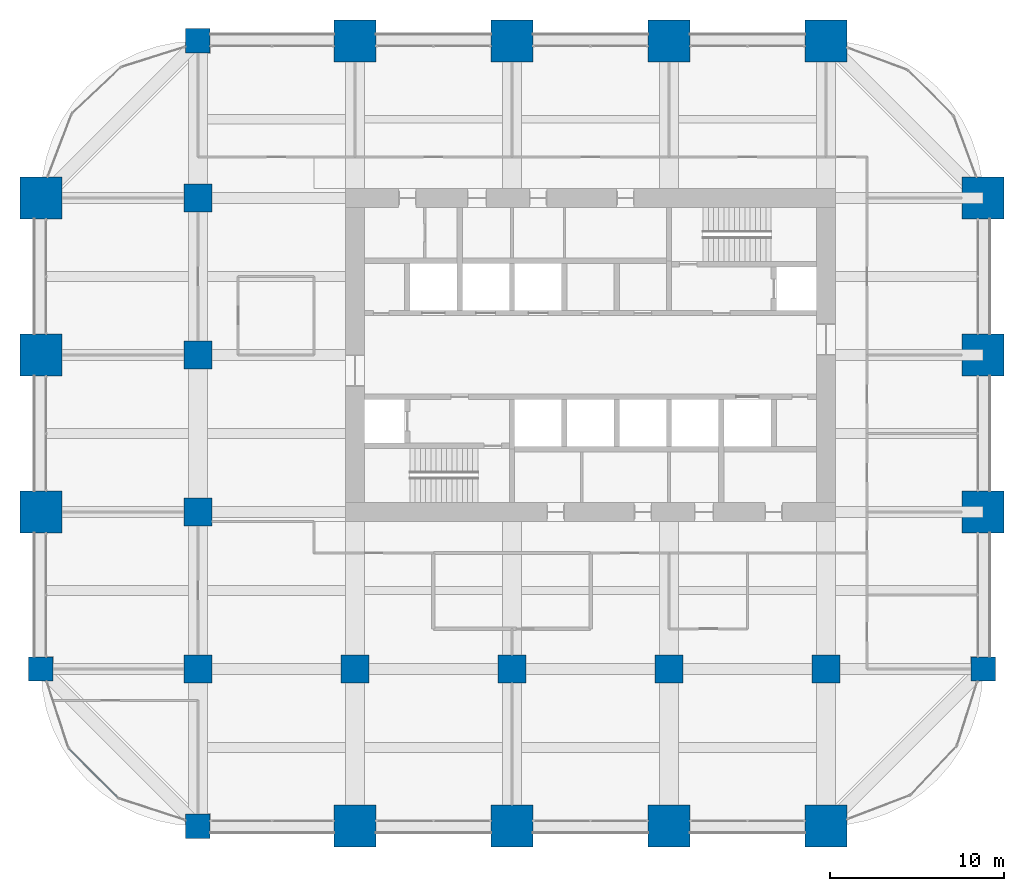
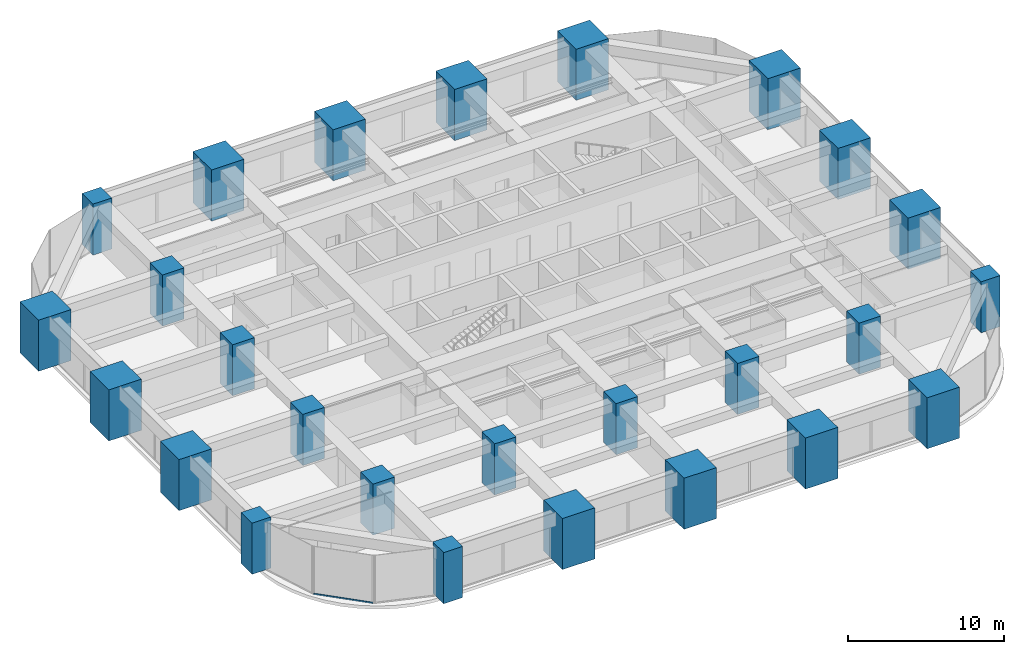
# One storey, part 1 of 32: 26 columns, 1 member, 1 element without a shape of its own.
"""IFC4 building model written with IfcOpenShell, lengths in metres."""

import ifcopenshell
import ifcopenshell.guid

model = None  # the IFC model being written
_history = None  # IfcOwnerHistory: only IFC2X3 demands one
_inside = {}  # id of a spatial element -> (the spatial element, [elements in it])
_under = {}  # id of a project, library or spatial element -> (it, [spatial elements below it])
_declared = {}  # id of a project -> (the project, [libraries it declares])
_typed = {}  # id of a type object -> (the type object, [elements of that type])
_made_of = {}  # id of a material, layer set ... -> (it, [elements and type objects made of it])


def new_model(schema):
    """Start an empty IFC model of exactly this schema.

    Asked for "IFC4X3", IfcOpenShell would pick the latest addendum, in which some entities
    have other attributes; the version numbers below select the first issue.
    IFC2X3 requires an IfcOwnerHistory on every rooted entity: one is made here for all.
    """
    global model, _history
    if schema == "IFC4X3":
        model = ifcopenshell.file(schema_version=(4, 3, 0, 0))
    else:
        model = ifcopenshell.file(schema=schema)
    _inside.clear()
    _under.clear()
    _declared.clear()
    _typed.clear()
    _made_of.clear()
    _history = None
    if model.schema == "IFC2X3":
        org = make("IfcOrganization", Name="unknown")
        user = make(
            "IfcPersonAndOrganization",
            ThePerson=make("IfcPerson", FamilyName="unknown"),
            TheOrganization=org,
        )
        app = make(
            "IfcApplication",
            ApplicationDeveloper=org,
            Version="unknown",
            ApplicationFullName="unknown",
            ApplicationIdentifier="unknown",
        )
        _history = make(
            "IfcOwnerHistory",
            OwningUser=user,
            OwningApplication=app,
            ChangeAction="ADDED",
            CreationDate=0,
        )
    return model


def make(cls, **values):
    """One entity of the class cls with the attributes given. An attribute that is None is left unset."""
    return model.create_entity(
        cls, **{name: value for name, value in values.items() if value is not None}
    )


def rooted(cls, **values):
    """An entity with a GlobalId (a new one), such as an element, a storey or a relation."""
    return make(cls, GlobalId=ifcopenshell.guid.new(), OwnerHistory=_history, **values)


def si_unit(unit_type, name, prefix=None):
    """IfcSIUnit, for example si_unit("LENGTHUNIT", "METRE", prefix="MILLI")."""
    return make("IfcSIUnit", UnitType=unit_type, Prefix=prefix, Name=name)


def assignment(units):
    """IfcUnitAssignment: the units of a project."""
    return None if units is None else make("IfcUnitAssignment", Units=units)


def point(xyz):
    """IfcCartesianPoint."""
    return None if xyz is None else make("IfcCartesianPoint", Coordinates=xyz)


def direction(xyz):
    """IfcDirection."""
    return None if xyz is None else make("IfcDirection", DirectionRatios=xyz)


def frame(location, z_axis=None, x_axis=None):
    """IfcAxis2Placement3D, a coordinate frame: its origin and axes. An axis left out is left unset."""
    return make(
        "IfcAxis2Placement3D",
        Location=point(location),
        Axis=direction(z_axis),
        RefDirection=direction(x_axis),
    )


def frame_2d(location, x_axis=None):
    """IfcAxis2Placement2D, a coordinate frame in the plane: its origin and x axis."""
    return make(
        "IfcAxis2Placement2D", Location=point(location), RefDirection=direction(x_axis)
    )


def origin():
    """The frame at (0, 0, 0) with its axes left unset."""
    return frame((0.0, 0.0, 0.0))


def origin_2d():
    """The frame at (0, 0) in the plane with its x axis left unset."""
    return frame_2d((0.0, 0.0))


def place(relative_to, where):
    """IfcLocalPlacement: puts the frame where relative to a parent placement (None: the world)."""
    return make(
        "IfcLocalPlacement", PlacementRelTo=relative_to, RelativePlacement=where
    )


def context(
    kind, dimensions, precision=None, world=None, true_north=None, identifier=None
):
    """IfcGeometricRepresentationContext, for example the 3D "Model" context."""
    return make(
        "IfcGeometricRepresentationContext",
        ContextIdentifier=identifier,
        ContextType=kind,
        CoordinateSpaceDimension=dimensions,
        Precision=precision,
        WorldCoordinateSystem=world,
        TrueNorth=true_north,
    )


def subcontext(parent, identifier, kind, view, scale=None):
    """IfcGeometricRepresentationSubContext, for example "Body" below "Model"."""
    return make(
        "IfcGeometricRepresentationSubContext",
        ContextIdentifier=identifier,
        ContextType=kind,
        ParentContext=parent,
        TargetScale=scale,
        TargetView=view,
    )


def project(units=None, contexts=None):
    """IfcProject with its units and contexts."""
    return rooted(
        "IfcProject",
        Name="project",
        RepresentationContexts=contexts,
        UnitsInContext=assignment(units),
    )


def spatial(cls, under=None, at=None, **own):
    """A site, building, storey or space (cls), placed at a placement, below another one or the project."""
    s = rooted(cls, ObjectPlacement=at, **own)
    if under is not None:
        _under.setdefault(under.id(), (under, []))[1].append(s)
    return s


def profile(cls, at=None, kind="AREA", **sizes):
    """A parametric profile (cls). Its sizes go by their IFC names, for example OverallWidth=200.0."""
    return make(cls, ProfileType=kind, Position=at, **sizes)


def rectangle(**sizes):
    """IfcRectangleProfileDef."""
    return profile("IfcRectangleProfileDef", **sizes)


def hollow_rectangle(**sizes):
    """IfcRectangleHollowProfileDef."""
    return profile("IfcRectangleHollowProfileDef", **sizes)


def extrude(swept, where, along, depth):
    """IfcExtrudedAreaSolid: the profile swept, set in the frame where, extruded along a direction by depth."""
    return make(
        "IfcExtrudedAreaSolid",
        SweptArea=swept,
        Position=where,
        ExtrudedDirection=direction(along),
        Depth=depth,
    )


def shape(context_of_items, identifier, shape_type, items):
    """IfcShapeRepresentation: the items that make up one representation, for example the "Body"."""
    return make(
        "IfcShapeRepresentation",
        ContextOfItems=context_of_items,
        RepresentationIdentifier=identifier,
        RepresentationType=shape_type,
        Items=items,
    )


def material(Name=None, Category=None):
    """IfcMaterial."""
    return make("IfcMaterial", Name=Name, Category=Category)


def material_profile(
    of_material, cross_section, Name=None, Category=None, Priority=None
):
    """IfcMaterialProfile: a cross section and its material."""
    return make(
        "IfcMaterialProfile",
        Name=Name,
        Material=of_material,
        Profile=cross_section,
        Priority=Priority,
        Category=Category,
    )


def profile_set(profiles, Name=None, composite=None):
    """IfcMaterialProfileSet."""
    return make(
        "IfcMaterialProfileSet",
        Name=Name,
        MaterialProfiles=profiles,
        CompositeProfile=composite,
    )


def made_of(thing, what):
    """Note that an element or type object is made of a material, layer set ...; save() writes the relation."""
    if what is not None:
        _made_of.setdefault(what.id(), (what, []))[1].append(thing)
    return thing


def type_object(cls, material=None, **own):
    """A type object (cls), such as IfcWallType, which elements share."""
    return made_of(rooted(cls, **own), material)


def element(
    cls,
    number,
    at=None,
    inside=None,
    cuts=None,
    type_object=None,
    material=None,
    context=None,
    identifier="Body",
    shape_type=None,
    held_by="IfcProductDefinitionShape",
    body=None,
    shapes=None,
    **own,
):
    """One element of the class cls, such as IfcWall. Its Tag is "e" and its number.

    at: its placement. inside: the storey or other place that contains it. cuts: it is an
    opening in that element (IfcRelVoidsElement). A single representation is given by context,
    identifier, shape_type and body (its items); several are given by shapes. held_by: the class
    of the entity that holds the representations. save() writes the other relations.
    """
    e = rooted(cls, Tag="e%d" % number, ObjectPlacement=at, **own)
    if body is not None:
        shapes = [shape(context, identifier, shape_type, body)]
    if shapes is not None:
        e.Representation = make(held_by, Representations=shapes)
    if inside is not None:
        _inside.setdefault(inside.id(), (inside, []))[1].append(e)
    if cuts is not None:
        rooted(
            "IfcRelVoidsElement", RelatingBuildingElement=cuts, RelatedOpeningElement=e
        )
    if type_object is not None:
        _typed.setdefault(type_object.id(), (type_object, []))[1].append(e)
    return made_of(e, material)


def aggregate(whole, parts):
    """IfcRelAggregates: a whole, such as a stair, and the parts it consists of."""
    return rooted("IfcRelAggregates", RelatingObject=whole, RelatedObjects=parts)


def save(model, path):
    """Write the relations noted so far, then the file.

    IfcRelAggregates (storeys below a building ...), IfcRelContainedInSpatialStructure (elements
    in a storey), IfcRelDefinesByType, IfcRelAssociatesMaterial and IfcRelDeclares: one each for
    every whole, place, type object, material and project.
    """
    for whole, parts in _under.values():
        aggregate(whole, parts)
    for where, things in _inside.values():
        rooted(
            "IfcRelContainedInSpatialStructure",
            RelatedElements=things,
            RelatingStructure=where,
        )
    for kind, things in _typed.values():
        rooted("IfcRelDefinesByType", RelatedObjects=things, RelatingType=kind)
    for what, things in _made_of.values():
        rooted("IfcRelAssociatesMaterial", RelatedObjects=things, RelatingMaterial=what)
    for by, libraries in _declared.values():
        rooted("IfcRelDeclares", RelatingContext=by, RelatedDefinitions=libraries)
    model.write(path)


model = new_model("IFC4")

# Units and contexts
model_context = context("Model", 3, precision=1e-05, world=origin(), true_north=direction((0.0, 1.0)))
body_context = subcontext(model_context, "Body", "Model", "MODEL_VIEW")
ifc_project = project(units=[si_unit("LENGTHUNIT", "METRE"), si_unit("AREAUNIT", "SQUARE_METRE"), si_unit("VOLUMEUNIT", "CUBIC_METRE"), si_unit("PLANEANGLEUNIT", "RADIAN"), si_unit("MASSUNIT", "GRAM", prefix="KILO")], contexts=[model_context])

# Site, building, storey
site_placement = place(None, origin())
site = spatial("IfcSite", under=ifc_project, at=site_placement, CompositionType="ELEMENT")
building_placement = place(site_placement, origin())
building = spatial("IfcBuilding", under=site, at=building_placement, Name="Zorevar Civic Tower", CompositionType="ELEMENT")
storey_placement = place(building_placement, frame((0.0, 0.0, 190.199951171875)))
storey = spatial("IfcBuildingStorey", under=building, at=storey_placement, Name="L46", CompositionType="ELEMENT", Elevation=190.199951171875)

# Columns
ifc_material_1 = material(Name="Concrete C50/60", Category="concrete")
ifc_material_profile_1 = material_profile(ifc_material_1, rectangle(XDim=1.39990234375, YDim=1.39990234375, at=origin_2d()), Name="RC 1400x1400")
ifc_profile_set_1 = profile_set([ifc_material_profile_1], Name="Concrete C50/60")
column_type_1 = type_object("IfcColumnType", Name="Column RC 1400x1400", PredefinedType="COLUMN", material=ifc_profile_set_1)
for number, where, z_axis, x_axis, name in (
    (1, (0.0, 9.0, 0.0), (0.0, 0.0, 1.0), (1.0, 0.0, 0.0), "Column 2B L46"),
    (2, (9.0, 0.0, 0.0), (0.0, 0.0, 1.0), (1.0, 0.0, 0.0), "Column 3A L46"),
    (3, (9.0, 45.0, 0.0), (0.0, 0.0, 1.0), (1.0, 0.0, 0.0), "Column 3F L46"),
    (4, (54.0, 9.0, 0.0), (0.0, 0.0, 1.0), (1.0, 0.0, 0.0), "Column 8B L46"),
):
    element("IfcColumn", number, at=place(storey_placement, frame(where, z_axis=z_axis, x_axis=x_axis)), inside=storey, type_object=column_type_1, Name=name, PredefinedType="COLUMN", context=body_context, shape_type="SweptSolid", body=[
        extrude(rectangle(XDim=1.39990234375, YDim=1.39990234375, at=origin_2d()), origin(), (0.0, 0.0, 1.0), 4.0),
    ])
ifc_material_2 = material(Name="Concrete C50/60", Category="concrete")
ifc_material_profile_2 = material_profile(ifc_material_2, rectangle(XDim=1.60009765625, YDim=1.60009765625, at=origin_2d()), Name="RC 1600x1600")
ifc_profile_set_2 = profile_set([ifc_material_profile_2], Name="Concrete C50/60")
column_type_2 = type_object("IfcColumnType", Name="Column RC 1600x1600", PredefinedType="COLUMN", material=ifc_profile_set_2)
for number, where, z_axis, x_axis, name in (
    (5, (9.0, 9.0, 0.0), (0.0, 0.0, 1.0), (1.0, 0.0, 0.0), "Column 3B L46"),
    (6, (9.0, 18.0, 0.0), (0.0, 0.0, 1.0), (1.0, 0.0, 0.0), "Column 3C L46"),
    (7, (9.0, 27.0, 0.0), (0.0, 0.0, 1.0), (1.0, 0.0, 0.0), "Column 3D L46"),
    (8, (9.0, 36.0, 0.0), (0.0, 0.0, 1.0), (1.0, 0.0, 0.0), "Column 3E L46"),
    (9, (18.0, 9.0, 0.0), (0.0, 0.0, 1.0), (1.0, 0.0, 0.0), "Column 4B L46"),
    (10, (27.0, 9.0, 0.0), (0.0, 0.0, 1.0), (1.0, 0.0, 0.0), "Column 5B L46"),
    (11, (36.0, 9.0, 0.0), (0.0, 0.0, 1.0), (1.0, 0.0, 0.0), "Column 6B L46"),
    (12, (45.0, 9.0, 0.0), (0.0, 0.0, 1.0), (1.0, 0.0, 0.0), "Column 7B L46"),
):
    element("IfcColumn", number, at=place(storey_placement, frame(where, z_axis=z_axis, x_axis=x_axis)), inside=storey, type_object=column_type_2, Name=name, PredefinedType="COLUMN", context=body_context, shape_type="SweptSolid", body=[
        extrude(rectangle(XDim=1.60009765625, YDim=1.60009765625, at=origin_2d()), origin(), (0.0, 0.0, 1.0), 4.0),
    ])
ifc_material_3 = material(Name="Concrete C50/60", Category="concrete")
ifc_material_profile_3 = material_profile(ifc_material_3, rectangle(XDim=2.39990234375, YDim=2.39990234375, at=origin_2d()), Name="RC 2400x2400")
ifc_profile_set_3 = profile_set([ifc_material_profile_3], Name="Concrete C50/60")
column_type_3 = type_object("IfcColumnType", Name="Mega column RC 2400x2400", PredefinedType="COLUMN", material=ifc_profile_set_3)
for number, where, z_axis, x_axis, name in (
    (13, (0.0, 18.0, 0.0), (0.0, 0.0, 1.0), (1.0, 0.0, 0.0), "Column 2C L46"),
    (14, (0.0, 27.0, 0.0), (0.0, 0.0, 1.0), (1.0, 0.0, 0.0), "Column 2D L46"),
    (15, (0.0, 36.0, 0.0), (0.0, 0.0, 1.0), (1.0, 0.0, 0.0), "Column 2E L46"),
    (16, (18.0, 0.0, 0.0), (0.0, 0.0, 1.0), (1.0, 0.0, 0.0), "Column 4A L46"),
    (17, (18.0, 45.0, 0.0), (0.0, 0.0, 1.0), (1.0, 0.0, 0.0), "Column 4F L46"),
    (18, (27.0, 0.0, 0.0), (0.0, 0.0, 1.0), (1.0, 0.0, 0.0), "Column 5A L46"),
    (19, (27.0, 45.0, 0.0), (0.0, 0.0, 1.0), (1.0, 0.0, 0.0), "Column 5F L46"),
    (20, (36.0, 0.0, 0.0), (0.0, 0.0, 1.0), (1.0, 0.0, 0.0), "Column 6A L46"),
    (21, (36.0, 45.0, 0.0), (0.0, 0.0, 1.0), (1.0, 0.0, 0.0), "Column 6F L46"),
    (22, (45.0, 0.0, 0.0), (0.0, 0.0, 1.0), (1.0, 0.0, 0.0), "Column 7A L46"),
    (23, (45.0, 45.0, 0.0), (0.0, 0.0, 1.0), (1.0, 0.0, 0.0), "Column 7F L46"),
    (24, (54.0, 18.0, 0.0), (0.0, 0.0, 1.0), (1.0, 0.0, 0.0), "Column 8C L46"),
    (25, (54.0, 27.0, 0.0), (0.0, 0.0, 1.0), (1.0, 0.0, 0.0), "Column 8D L46"),
    (26, (54.0, 36.0, 0.0), (0.0, 0.0, 1.0), (1.0, 0.0, 0.0), "Column 8E L46"),
):
    element("IfcColumn", number, at=place(storey_placement, frame(where, z_axis=z_axis, x_axis=x_axis)), inside=storey, type_object=column_type_3, Name=name, PredefinedType="COLUMN", context=body_context, shape_type="SweptSolid", body=[
        extrude(rectangle(XDim=2.39990234375, YDim=2.39990234375, at=origin_2d()), origin(), (0.0, 0.0, 1.0), 4.0),
    ])

# Curtain wall, member
ifc_material_4 = material(Name="Dark grey solar-control glass in black aluminium frame", Category="aluminium")
curtain_wall_type = type_object("IfcCurtainWallType", Name="Curtain wall CW4 high zone", PredefinedType="NOTDEFINED", material=ifc_material_4)
curtain_wall_placement = place(storey_placement, origin())
curtain_wall = element("IfcCurtainWall", 27, at=curtain_wall_placement, inside=storey, type_object=curtain_wall_type, Name="CW4 L46", PredefinedType="NOTDEFINED")
ifc_material_5 = material(Name="Aluminium, black anodised", Category="aluminium")
ifc_material_profile_4 = material_profile(ifc_material_5, hollow_rectangle(XDim=0.06005859375, YDim=0.1201171875, WallThickness=0.0029296875, at=origin_2d()), Name="AL 120x60x3")
ifc_profile_set_4 = profile_set([ifc_material_profile_4], Name="Aluminium, black anodised")
member_type = type_object("IfcMemberType", Name="CW4 transom AL 120x60x3", PredefinedType="USERDEFINED", material=ifc_profile_set_4)
member_placement = place(storey_placement, frame((1.62744140625, 4.406982421875, 0.030029296875), z_axis=(0.707106781187, -0.707106781187, 0.0), x_axis=(0.707106781187, 0.707106781187, 0.0)))
member = element("IfcMember", 28, at=member_placement, type_object=member_type, Name="CW4 sill transom", ObjectType="TRANSOM", PredefinedType="USERDEFINED", context=body_context, shape_type="SweptSolid", body=[
    extrude(hollow_rectangle(XDim=0.06005859375, YDim=0.1201171875, WallThickness=0.0029296875, at=origin_2d()), origin(), (0.0, 0.0, 1.0), 3.930908203125),
])
aggregate(curtain_wall, [member])

save(model, "model.ifc")
